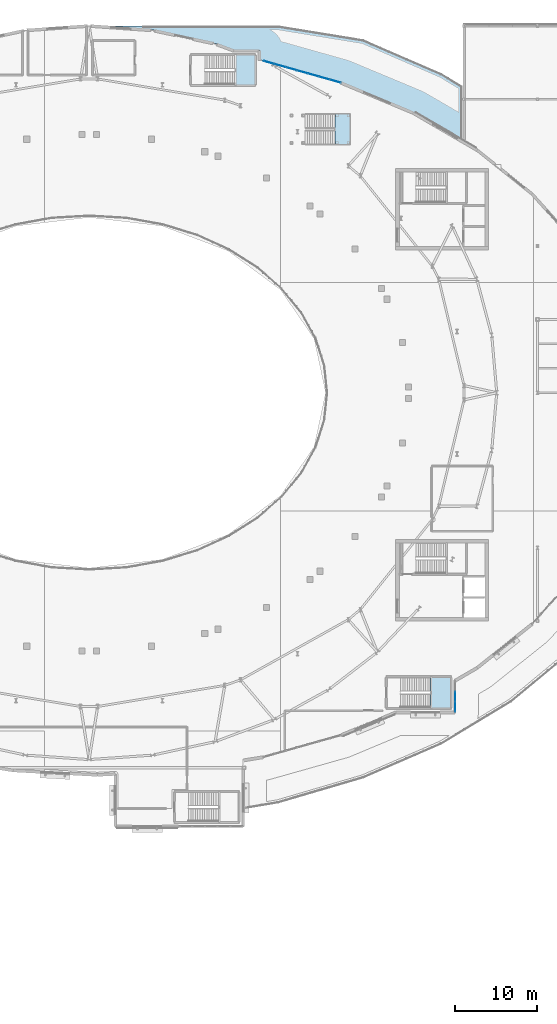
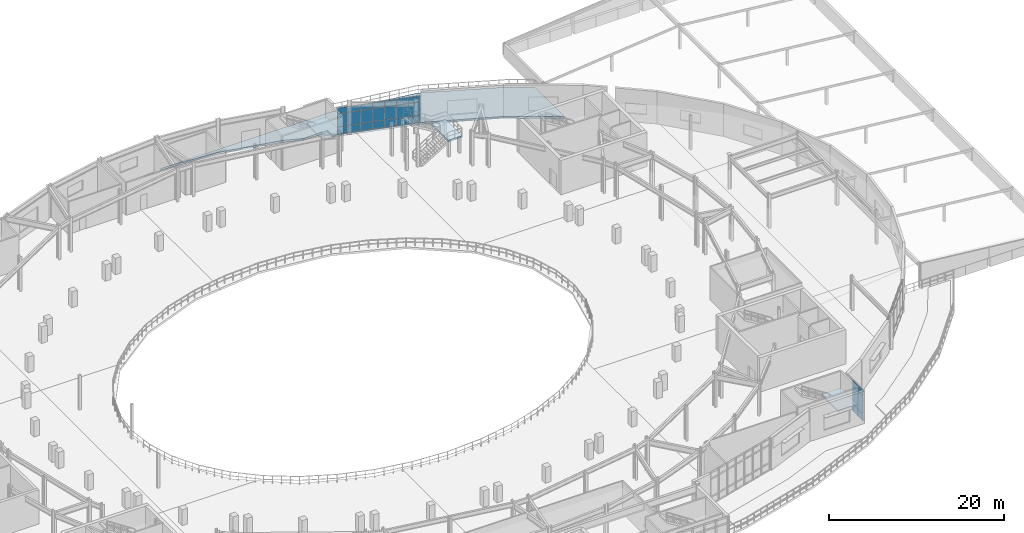
# One storey, part 54 of 84: 27 plates, 4 slabs, 5 elements without a shape of their own.
"""IFC4 building model written with IfcOpenShell, lengths in metres."""

from ifc_helpers import new_model, si_unit, direction, frame, origin, origin_2d, place, context, subcontext, project, spatial, polyline, rectangle, outline, extrude, material, layer, layer_set, type_object, element, aggregate, save


model = new_model("IFC4")

# Units and contexts
model_context = context("Model", 3, precision=1e-05, world=origin(), true_north=direction((0.0, 1.0)))
body_context = subcontext(model_context, "Body", "Model", "MODEL_VIEW")
ifc_project = project(units=[si_unit("LENGTHUNIT", "METRE"), si_unit("AREAUNIT", "SQUARE_METRE"), si_unit("VOLUMEUNIT", "CUBIC_METRE"), si_unit("PLANEANGLEUNIT", "RADIAN"), si_unit("MASSUNIT", "GRAM", prefix="KILO")], contexts=[model_context])

# Site, building, storey
site_placement = place(None, origin())
site = spatial("IfcSite", under=ifc_project, at=site_placement, CompositionType="ELEMENT")
building_placement = place(site_placement, origin())
building = spatial("IfcBuilding", under=site, at=building_placement, Name="Glasvene Arena", CompositionType="ELEMENT")
storey_placement = place(building_placement, frame((0.0, 0.0, 10.199951171875)))
storey = spatial("IfcBuildingStorey", under=building, at=storey_placement, Name="L02", CompositionType="ELEMENT", Elevation=10.199951171875)

# Curtain wall, plates
ifc_material_1 = material(Name="Low-emissivity laminated double glazing", Category="glass")
curtain_wall_type_1 = type_object("IfcCurtainWallType", Name="CW-FAC-L02-985x377", PredefinedType="USERDEFINED", material=ifc_material_1)
curtain_wall_1_placement = place(storey_placement, frame((113.402587890625, 113.69140625, 0.0)))
curtain_wall_1 = element("IfcCurtainWall", 1, at=curtain_wall_1_placement, inside=storey, type_object=curtain_wall_type_1, Name="Unitised curtain wall CW-F-L02-150-1181-1124-28", ObjectType="CURTAIN WALL", PredefinedType="USERDEFINED")
ifc_layer_1 = layer(ifc_material_1, 0.028076171875)
ifc_layer_set_1 = layer_set([ifc_layer_1], Name="Low-emissivity laminated double glazing")
plate_type = type_object("IfcPlateType", Name="CW-GLZ-28", PredefinedType="CURTAIN_PANEL", material=ifc_layer_set_1)
plate_1_placement = place(storey_placement, frame((114.091552734375, 113.4970703125, 0.10986328125), z_axis=(0.0, 0.0, 1.0), x_axis=(0.962411023599, -0.271597167979, 0.0)))
plate_1 = element("IfcPlate", 2, at=plate_1_placement, type_object=plate_type, Name="CW-023 panel 1.1", PredefinedType="CURTAIN_PANEL", context=body_context, shape_type="SweptSolid", body=[
    extrude(rectangle(XDim=1.331787109375, YDim=0.028076171875, at=origin_2d()), origin(), (0.0, 0.0, 1.0), 0.965087890625),
])
plate_2_placement = place(storey_placement, frame((114.091552734375, 113.4970703125, 1.125), z_axis=(0.0, 0.0, 1.0), x_axis=(0.962411023599, -0.271597167979, 0.0)))
plate_2 = element("IfcPlate", 3, at=plate_2_placement, type_object=plate_type, Name="CW-023 panel 1.2", PredefinedType="CURTAIN_PANEL", context=body_context, shape_type="SweptSolid", body=[
    extrude(rectangle(XDim=1.331787109375, YDim=0.028076171875, at=origin_2d()), origin(), (0.0, 0.0, 1.0), 1.781982421875),
])
plate_3_placement = place(storey_placement, frame((114.091552734375, 113.4970703125, 2.95703125), z_axis=(0.0, 0.0, 1.0), x_axis=(0.962411023599, -0.271597167979, 0.0)))
plate_3 = element("IfcPlate", 4, at=plate_3_placement, type_object=plate_type, Name="CW-023 panel 1.3", PredefinedType="CURTAIN_PANEL", context=body_context, shape_type="SweptSolid", body=[
    extrude(rectangle(XDim=1.331787109375, YDim=0.028076171875, at=origin_2d()), origin(), (0.0, 0.0, 1.0), 0.824951171875),
])
plate_4_placement = place(storey_placement, frame((115.433349609375, 113.118408203125, 0.10986328125), z_axis=(0.0, 0.0, 1.0), x_axis=(0.962411023599, -0.271597167979, 0.0)))
plate_4 = element("IfcPlate", 5, at=plate_4_placement, type_object=plate_type, Name="CW-023 panel 2.1", PredefinedType="CURTAIN_PANEL", context=body_context, shape_type="SweptSolid", body=[
    extrude(rectangle(XDim=1.356689453125, YDim=0.028076171875, at=origin_2d()), origin(), (0.0, 0.0, 1.0), 0.965087890625),
])
plate_5_placement = place(storey_placement, frame((115.433349609375, 113.118408203125, 1.125), z_axis=(0.0, 0.0, 1.0), x_axis=(0.962411023599, -0.271597167979, 0.0)))
plate_5 = element("IfcPlate", 6, at=plate_5_placement, type_object=plate_type, Name="CW-023 panel 2.2", PredefinedType="CURTAIN_PANEL", context=body_context, shape_type="SweptSolid", body=[
    extrude(rectangle(XDim=1.356689453125, YDim=0.028076171875, at=origin_2d()), origin(), (0.0, 0.0, 1.0), 1.781982421875),
])
plate_6_placement = place(storey_placement, frame((115.433349609375, 113.118408203125, 2.95703125), z_axis=(0.0, 0.0, 1.0), x_axis=(0.962411023599, -0.271597167979, 0.0)))
plate_6 = element("IfcPlate", 7, at=plate_6_placement, type_object=plate_type, Name="CW-023 panel 2.3", PredefinedType="CURTAIN_PANEL", context=body_context, shape_type="SweptSolid", body=[
    extrude(rectangle(XDim=1.356689453125, YDim=0.028076171875, at=origin_2d()), origin(), (0.0, 0.0, 1.0), 0.824951171875),
])
plate_7_placement = place(storey_placement, frame((116.787353515625, 112.736328125, 0.10986328125), z_axis=(0.0, 0.0, 1.0), x_axis=(0.962411023599, -0.271597167979, 0.0)))
plate_7 = element("IfcPlate", 8, at=plate_7_placement, type_object=plate_type, Name="CW-023 panel 3.1", PredefinedType="CURTAIN_PANEL", context=body_context, shape_type="SweptSolid", body=[
    extrude(rectangle(XDim=1.356689453125, YDim=0.028076171875, at=origin_2d()), origin(), (0.0, 0.0, 1.0), 0.965087890625),
])
plate_8_placement = place(storey_placement, frame((116.787353515625, 112.736328125, 1.125), z_axis=(0.0, 0.0, 1.0), x_axis=(0.962411023599, -0.271597167979, 0.0)))
plate_8 = element("IfcPlate", 9, at=plate_8_placement, type_object=plate_type, Name="CW-023 panel 3.2", PredefinedType="CURTAIN_PANEL", context=body_context, shape_type="SweptSolid", body=[
    extrude(rectangle(XDim=1.356689453125, YDim=0.028076171875, at=origin_2d()), origin(), (0.0, 0.0, 1.0), 1.781982421875),
])
plate_9_placement = place(storey_placement, frame((116.787353515625, 112.736328125, 2.95703125), z_axis=(0.0, 0.0, 1.0), x_axis=(0.962411023599, -0.271597167979, 0.0)))
plate_9 = element("IfcPlate", 10, at=plate_9_placement, type_object=plate_type, Name="CW-023 panel 3.3", PredefinedType="CURTAIN_PANEL", context=body_context, shape_type="SweptSolid", body=[
    extrude(rectangle(XDim=1.356689453125, YDim=0.028076171875, at=origin_2d()), origin(), (0.0, 0.0, 1.0), 0.824951171875),
])
plate_10_placement = place(storey_placement, frame((118.14111328125, 112.354248046875, 0.10986328125), z_axis=(0.0, 0.0, 1.0), x_axis=(0.962411023599, -0.271597167979, 0.0)))
plate_10 = element("IfcPlate", 11, at=plate_10_placement, type_object=plate_type, Name="CW-023 panel 4.1", PredefinedType="CURTAIN_PANEL", context=body_context, shape_type="SweptSolid", body=[
    extrude(rectangle(XDim=1.356689453125, YDim=0.028076171875, at=origin_2d()), origin(), (0.0, 0.0, 1.0), 0.965087890625),
])
plate_11_placement = place(storey_placement, frame((118.14111328125, 112.354248046875, 1.125), z_axis=(0.0, 0.0, 1.0), x_axis=(0.962411023599, -0.271597167979, 0.0)))
plate_11 = element("IfcPlate", 12, at=plate_11_placement, type_object=plate_type, Name="CW-023 panel 4.2", PredefinedType="CURTAIN_PANEL", context=body_context, shape_type="SweptSolid", body=[
    extrude(rectangle(XDim=1.356689453125, YDim=0.028076171875, at=origin_2d()), origin(), (0.0, 0.0, 1.0), 1.781982421875),
])
plate_12_placement = place(storey_placement, frame((118.14111328125, 112.354248046875, 2.95703125), z_axis=(0.0, 0.0, 1.0), x_axis=(0.962411023599, -0.271597167979, 0.0)))
plate_12 = element("IfcPlate", 13, at=plate_12_placement, type_object=plate_type, Name="CW-023 panel 4.3", PredefinedType="CURTAIN_PANEL", context=body_context, shape_type="SweptSolid", body=[
    extrude(rectangle(XDim=1.356689453125, YDim=0.028076171875, at=origin_2d()), origin(), (0.0, 0.0, 1.0), 0.824951171875),
])
plate_13_placement = place(storey_placement, frame((119.494873046875, 111.97216796875, 0.10986328125), z_axis=(0.0, 0.0, 1.0), x_axis=(0.962411023599, -0.271597167979, 0.0)))
plate_13 = element("IfcPlate", 14, at=plate_13_placement, type_object=plate_type, Name="CW-023 panel 5.1", PredefinedType="CURTAIN_PANEL", context=body_context, shape_type="SweptSolid", body=[
    extrude(rectangle(XDim=1.356689453125, YDim=0.028076171875, at=origin_2d()), origin(), (0.0, 0.0, 1.0), 0.965087890625),
])
plate_14_placement = place(storey_placement, frame((119.494873046875, 111.97216796875, 1.125), z_axis=(0.0, 0.0, 1.0), x_axis=(0.962411023599, -0.271597167979, 0.0)))
plate_14 = element("IfcPlate", 15, at=plate_14_placement, type_object=plate_type, Name="CW-023 panel 5.2", PredefinedType="CURTAIN_PANEL", context=body_context, shape_type="SweptSolid", body=[
    extrude(rectangle(XDim=1.356689453125, YDim=0.028076171875, at=origin_2d()), origin(), (0.0, 0.0, 1.0), 1.781982421875),
])
plate_15_placement = place(storey_placement, frame((119.494873046875, 111.97216796875, 2.95703125), z_axis=(0.0, 0.0, 1.0), x_axis=(0.962411023599, -0.271597167979, 0.0)))
plate_15 = element("IfcPlate", 16, at=plate_15_placement, type_object=plate_type, Name="CW-023 panel 5.3", PredefinedType="CURTAIN_PANEL", context=body_context, shape_type="SweptSolid", body=[
    extrude(rectangle(XDim=1.356689453125, YDim=0.028076171875, at=origin_2d()), origin(), (0.0, 0.0, 1.0), 0.824951171875),
])
plate_16_placement = place(storey_placement, frame((120.848876953125, 111.590087890625, 0.10986328125), z_axis=(0.0, 0.0, 1.0), x_axis=(0.962411023599, -0.271597167979, 0.0)))
plate_16 = element("IfcPlate", 17, at=plate_16_placement, type_object=plate_type, Name="CW-023 panel 6.1", PredefinedType="CURTAIN_PANEL", context=body_context, shape_type="SweptSolid", body=[
    extrude(rectangle(XDim=1.356689453125, YDim=0.028076171875, at=origin_2d()), origin(), (0.0, 0.0, 1.0), 0.965087890625),
])
plate_17_placement = place(storey_placement, frame((120.848876953125, 111.590087890625, 1.125), z_axis=(0.0, 0.0, 1.0), x_axis=(0.962411023599, -0.271597167979, 0.0)))
plate_17 = element("IfcPlate", 18, at=plate_17_placement, type_object=plate_type, Name="CW-023 panel 6.2", PredefinedType="CURTAIN_PANEL", context=body_context, shape_type="SweptSolid", body=[
    extrude(rectangle(XDim=1.356689453125, YDim=0.028076171875, at=origin_2d()), origin(), (0.0, 0.0, 1.0), 1.781982421875),
])
plate_18_placement = place(storey_placement, frame((120.848876953125, 111.590087890625, 2.95703125), z_axis=(0.0, 0.0, 1.0), x_axis=(0.962411023599, -0.271597167979, 0.0)))
plate_18 = element("IfcPlate", 19, at=plate_18_placement, type_object=plate_type, Name="CW-023 panel 6.3", PredefinedType="CURTAIN_PANEL", context=body_context, shape_type="SweptSolid", body=[
    extrude(rectangle(XDim=1.356689453125, YDim=0.028076171875, at=origin_2d()), origin(), (0.0, 0.0, 1.0), 0.824951171875),
])
plate_19_placement = place(storey_placement, frame((122.190673828125, 111.21142578125, 0.10986328125), z_axis=(0.0, 0.0, 1.0), x_axis=(0.962411023599, -0.271597167979, 0.0)))
plate_19 = element("IfcPlate", 20, at=plate_19_placement, type_object=plate_type, Name="CW-023 panel 7.1", PredefinedType="CURTAIN_PANEL", context=body_context, shape_type="SweptSolid", body=[
    extrude(rectangle(XDim=1.331787109375, YDim=0.028076171875, at=origin_2d()), origin(), (0.0, 0.0, 1.0), 0.965087890625),
])
plate_20_placement = place(storey_placement, frame((122.190673828125, 111.21142578125, 1.125), z_axis=(0.0, 0.0, 1.0), x_axis=(0.962411023599, -0.271597167979, 0.0)))
plate_20 = element("IfcPlate", 21, at=plate_20_placement, type_object=plate_type, Name="CW-023 panel 7.2", PredefinedType="CURTAIN_PANEL", context=body_context, shape_type="SweptSolid", body=[
    extrude(rectangle(XDim=1.331787109375, YDim=0.028076171875, at=origin_2d()), origin(), (0.0, 0.0, 1.0), 1.781982421875),
])
plate_21_placement = place(storey_placement, frame((122.190673828125, 111.21142578125, 2.95703125), z_axis=(0.0, 0.0, 1.0), x_axis=(0.962411023599, -0.271597167979, 0.0)))
plate_21 = element("IfcPlate", 22, at=plate_21_placement, type_object=plate_type, Name="CW-023 panel 7.3", PredefinedType="CURTAIN_PANEL", context=body_context, shape_type="SweptSolid", body=[
    extrude(rectangle(XDim=1.331787109375, YDim=0.028076171875, at=origin_2d()), origin(), (0.0, 0.0, 1.0), 0.824951171875),
])
aggregate(curtain_wall_1, [plate_1, plate_2, plate_3, plate_4, plate_5, plate_6, plate_7, plate_8, plate_9, plate_10, plate_11, plate_12, plate_13, plate_14, plate_15, plate_16, plate_17, plate_18, plate_19, plate_20, plate_21])

curtain_wall_type_2 = type_object("IfcCurtainWallType", Name="CW-FAC-L02-380x446", PredefinedType="USERDEFINED", material=ifc_material_1)
curtain_wall_2_placement = place(storey_placement, frame((136.89990234375, 37.640625, 0.0)))
curtain_wall_2 = element("IfcCurtainWall", 23, at=curtain_wall_2_placement, inside=storey, type_object=curtain_wall_type_2, Name="Unitised curtain wall CW-F-L02-180-1369-357-43", ObjectType="CURTAIN WALL", PredefinedType="USERDEFINED")
plate_22_placement = place(storey_placement, frame((136.89990234375, 35.740234375, 0.10986328125), z_axis=(0.0, 0.0, 1.0), x_axis=(0.0, -1.0, 0.0)))
plate_22 = element("IfcPlate", 24, at=plate_22_placement, type_object=plate_type, Name="CW-025 panel 2.1", PredefinedType="CURTAIN_PANEL", context=body_context, shape_type="SweptSolid", body=[
    extrude(rectangle(XDim=1.216796875, YDim=0.028076171875, at=origin_2d()), origin(), (0.0, 0.0, 1.0), 0.965087890625),
])
plate_23_placement = place(storey_placement, frame((136.89990234375, 35.740234375, 1.125), z_axis=(0.0, 0.0, 1.0), x_axis=(0.0, -1.0, 0.0)))
plate_23 = element("IfcPlate", 25, at=plate_23_placement, type_object=plate_type, Name="CW-025 panel 2.2", PredefinedType="CURTAIN_PANEL", context=body_context, shape_type="SweptSolid", body=[
    extrude(rectangle(XDim=1.216796875, YDim=0.028076171875, at=origin_2d()), origin(), (0.0, 0.0, 1.0), 2.469970703125),
])
plate_24_placement = place(storey_placement, frame((136.89990234375, 35.740234375, 3.64501953125), z_axis=(0.0, 0.0, 1.0), x_axis=(0.0, -1.0, 0.0)))
plate_24 = element("IfcPlate", 26, at=plate_24_placement, type_object=plate_type, Name="CW-025 panel 2.3", PredefinedType="CURTAIN_PANEL", context=body_context, shape_type="SweptSolid", body=[
    extrude(rectangle(XDim=1.216796875, YDim=0.028076171875, at=origin_2d()), origin(), (0.0, 0.0, 1.0), 0.824951171875),
])
plate_25_placement = place(storey_placement, frame((136.89990234375, 34.48583984375, 0.10986328125), z_axis=(0.0, 0.0, 1.0), x_axis=(0.0, -1.0, 0.0)))
plate_25 = element("IfcPlate", 27, at=plate_25_placement, type_object=plate_type, Name="CW-025 panel 3.1", PredefinedType="CURTAIN_PANEL", context=body_context, shape_type="SweptSolid", body=[
    extrude(rectangle(XDim=1.19189453125, YDim=0.028076171875, at=origin_2d()), origin(), (0.0, 0.0, 1.0), 0.965087890625),
])
plate_26_placement = place(storey_placement, frame((136.89990234375, 34.48583984375, 1.125), z_axis=(0.0, 0.0, 1.0), x_axis=(0.0, -1.0, 0.0)))
plate_26 = element("IfcPlate", 28, at=plate_26_placement, type_object=plate_type, Name="CW-025 panel 3.2", PredefinedType="CURTAIN_PANEL", context=body_context, shape_type="SweptSolid", body=[
    extrude(rectangle(XDim=1.19189453125, YDim=0.028076171875, at=origin_2d()), origin(), (0.0, 0.0, 1.0), 2.469970703125),
])
plate_27_placement = place(storey_placement, frame((136.89990234375, 34.48583984375, 3.64501953125), z_axis=(0.0, 0.0, 1.0), x_axis=(0.0, -1.0, 0.0)))
plate_27 = element("IfcPlate", 29, at=plate_27_placement, type_object=plate_type, Name="CW-025 panel 3.3", PredefinedType="CURTAIN_PANEL", context=body_context, shape_type="SweptSolid", body=[
    extrude(rectangle(XDim=1.19189453125, YDim=0.028076171875, at=origin_2d()), origin(), (0.0, 0.0, 1.0), 0.824951171875),
])
aggregate(curtain_wall_2, [plate_22, plate_23, plate_24, plate_25, plate_26, plate_27])

# Stair, slab
ifc_material_2 = material(Name="Concrete C40/50", Category="concrete")
stair_type_1 = type_object("IfcStairType", Name="ST-HT-480-170", PredefinedType="HALF_TURN_STAIR", material=ifc_material_2)
stair_1_placement = place(storey_placement, origin())
stair_1 = element("IfcStair", 30, at=stair_1_placement, inside=storey, type_object=stair_type_1, Name="Protected escape stair ST-06 (L02 to L03)", PredefinedType="HALF_TURN_STAIR")
ifc_layer_2 = layer(ifc_material_2, 0.219970703125)
ifc_layer_set_2 = layer_set([ifc_layer_2], Name="Concrete C40/50")
slab_type_1 = type_object("IfcSlabType", Name="SL-LAND-220", PredefinedType="LANDING", material=ifc_layer_set_2)
slab_1_placement = place(storey_placement, frame((135.1201171875, 36.22509765625, 2.179931640625)))
slab_1 = element("IfcSlab", 31, at=slab_1_placement, type_object=slab_type_1, Name="Protected escape stair ST-06 (L02 to L03) landing 1", PredefinedType="LANDING", context=body_context, shape_type="SweptSolid", body=[
    extrude(outline(polyline([(-1.280029296875, -1.925048828125), (1.27978515625, -1.925048828125), (1.27978515625, 1.9248046875), (-1.280029296875, 1.9248046875), (-1.280029296875, -1.925048828125)])), origin(), (0.0, 0.0, 1.0), 0.22021484375),
])
aggregate(stair_1, [slab_1])

stair_type_2 = type_object("IfcStairType", Name="ST-HT-480-165", PredefinedType="HALF_TURN_STAIR", material=ifc_material_2)
stair_2_placement = place(storey_placement, origin())
stair_2 = element("IfcStair", 32, at=stair_2_placement, inside=storey, type_object=stair_type_2, Name="Protected escape stair ST-11 (L02 to L03)", PredefinedType="HALF_TURN_STAIR")
slab_2_placement = place(storey_placement, frame((111.1201171875, 112.574951171875, 2.179931640625)))
slab_2 = element("IfcSlab", 33, at=slab_2_placement, type_object=slab_type_1, Name="Protected escape stair ST-11 (L02 to L03) landing 1", PredefinedType="LANDING", context=body_context, shape_type="SweptSolid", body=[
    extrude(outline(polyline([(-1.280029296875, -1.875), (1.27978515625, -1.875), (1.27978515625, 1.875), (-1.280029296875, 1.875), (-1.280029296875, -1.875)])), origin(), (0.0, 0.0, 1.0), 0.22021484375),
])
aggregate(stair_2, [slab_2])

stair_type_3 = type_object("IfcStairType", Name="ST-HT-480-180", PredefinedType="HALF_TURN_STAIR", material=ifc_material_2)
stair_3_placement = place(storey_placement, origin())
stair_3 = element("IfcStair", 34, at=stair_3_placement, inside=storey, type_object=stair_type_3, Name="Vomitory Stair VOM-08 (L02 to L03)", PredefinedType="HALF_TURN_STAIR")
slab_3_placement = place(storey_placement, frame((123.090087890625, 105.324951171875, 2.179931640625)))
slab_3 = element("IfcSlab", 35, at=slab_3_placement, type_object=slab_type_1, Name="Vomitory Stair VOM-08 (L02 to L03) landing 1", PredefinedType="LANDING", context=body_context, shape_type="SweptSolid", body=[
    extrude(outline(polyline([(-0.9501953125, -1.925048828125), (0.949951171875, -1.925048828125), (0.949951171875, 1.925048828125), (-0.9501953125, 1.925048828125), (-0.9501953125, -1.925048828125)])), origin(), (0.0, 0.0, 1.0), 0.22021484375),
])
aggregate(stair_3, [slab_3])

# Slab
ifc_layer_3 = layer(ifc_material_2, 0.280029296875)
ifc_layer_set_3 = layer_set([ifc_layer_3], Name="Concrete C40/50")
slab_type_2 = type_object("IfcSlabType", Name="SL-TERR-280", PredefinedType="FLOOR", material=ifc_layer_set_3)
slab_4_placement = place(storey_placement, frame((117.2919921875, 113.707275390625, -0.280029296875)))
element("IfcSlab", 36, at=slab_4_placement, inside=storey, type_object=slab_type_2, Name="Planted limestone terrace slab TR-L02-STEP1-2", PredefinedType="FLOOR", context=body_context, shape_type="SweptSolid", body=[
    extrude(outline(polyline([(-24.725830078125, 4.292724609375), (-2.089111328125, 4.292724609375), (8.3271484375, 2.600341796875), (17.9404296875, -1.56884765625), (20.508056640625, -3.120849609375), (20.508056640625, -9.865478515625), (14.463134765625, -6.34765625), (5.641357421875, -2.6640625), (-3.9169921875, 0.03369140625), (-4.35205078125, 0.10498046875), (-4.35205078125, 1.24267578125), (-4.35498046875, 1.258056640625), (-4.36669921875, 1.273681640625), (-4.38037109375, 1.281005859375), (-7.560546875, 1.28271484375), (-9.8271484375, 2.127685546875), (-17.4619140625, 3.77783203125), (-24.725830078125, 4.292724609375)])), origin(), (0.0, 0.0, 1.0), 0.280029296875),
])

save(model, "model.ifc")
